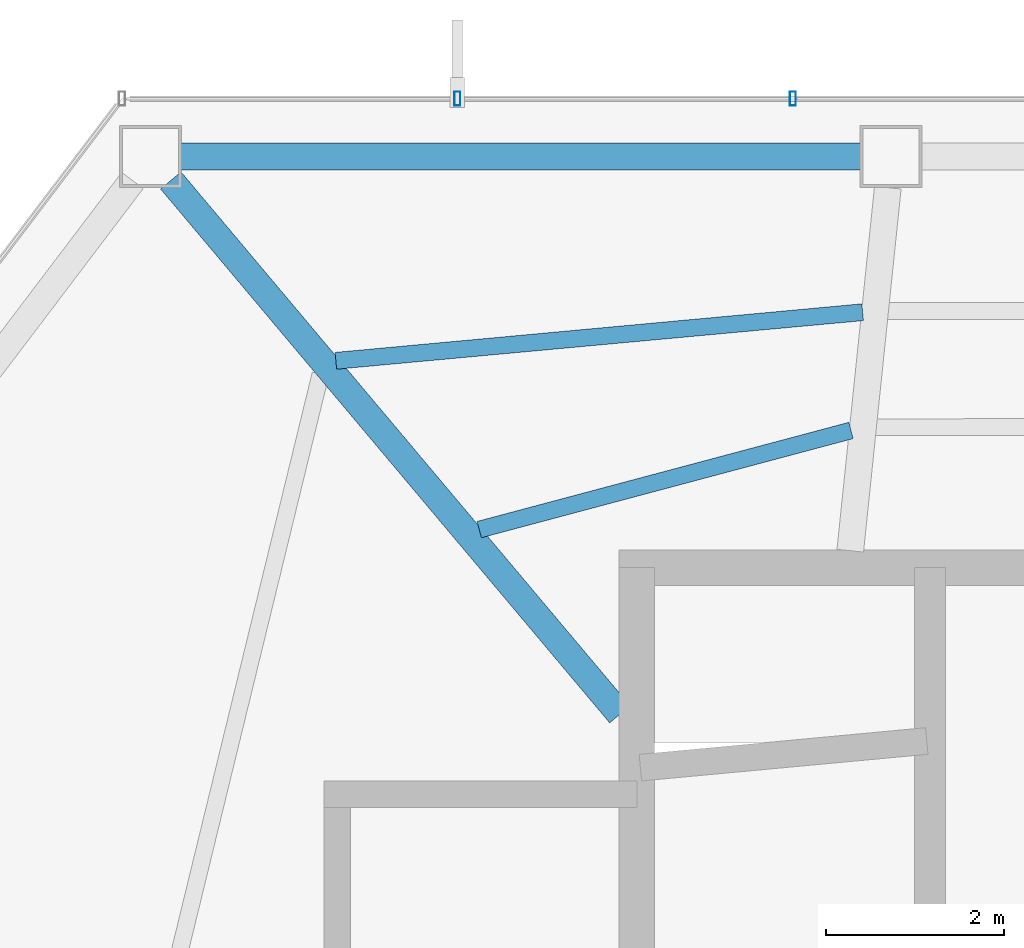
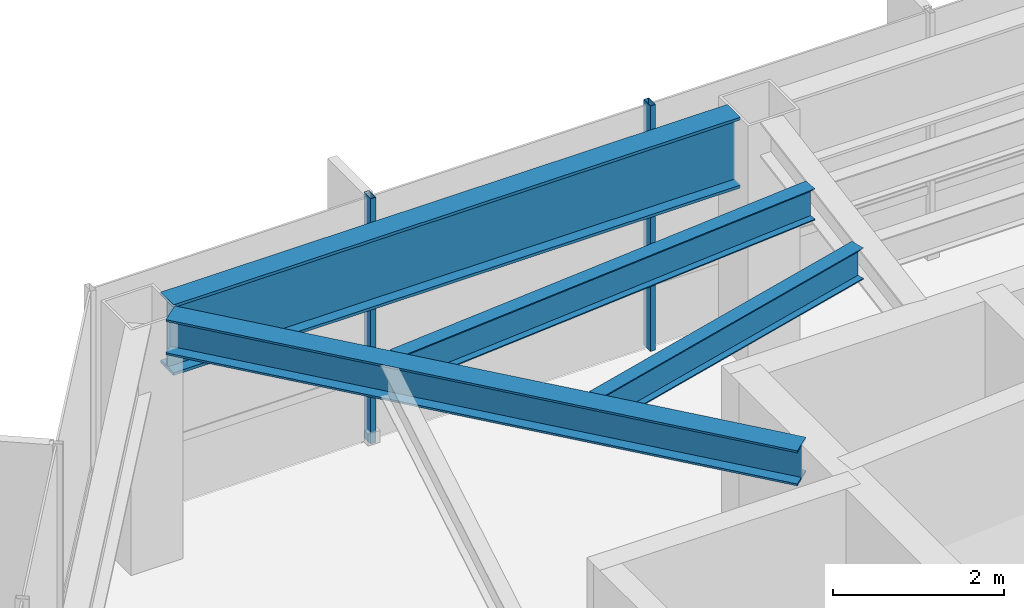
# One storey, part 12 of 27: 4 beams, 2 members, 1 element without a shape of its own.
"""IFC4 building model written with IfcOpenShell, lengths in metres."""

from ifc_helpers import new_model, si_unit, direction, frame, origin, origin_2d, place, context, subcontext, project, spatial, hollow_rectangle, i_section, extrude, material, layer, layer_set, material_profile, profile_set, type_object, element, aggregate, save


model = new_model("IFC4")

# Units and contexts
model_context = context("Model", 3, precision=1e-05, world=origin(), true_north=direction((0.0, 1.0)))
body_context = subcontext(model_context, "Body", "Model", "MODEL_VIEW")
ifc_project = project(units=[si_unit("LENGTHUNIT", "METRE"), si_unit("AREAUNIT", "SQUARE_METRE"), si_unit("VOLUMEUNIT", "CUBIC_METRE"), si_unit("PLANEANGLEUNIT", "RADIAN"), si_unit("MASSUNIT", "GRAM", prefix="KILO")], contexts=[model_context])

# Site, building, storey
site_placement = place(None, origin())
site = spatial("IfcSite", under=ifc_project, at=site_placement, CompositionType="ELEMENT")
building_placement = place(site_placement, origin())
building = spatial("IfcBuilding", under=site, at=building_placement, Name="Zarrinselat Tower", CompositionType="ELEMENT")
storey_placement = place(building_placement, frame((0.0, 0.0, 179.52001953125)))
storey = spatial("IfcBuildingStorey", under=building, at=storey_placement, Name="L44", CompositionType="ELEMENT", Elevation=179.52001953125)

# Beams
ifc_material_1 = material(Name="Steel S355J2", Category="steel")
ifc_material_profile_1 = material_profile(ifc_material_1, i_section(OverallWidth=0.300048828125, OverallDepth=0.5, WebThickness=0.014404296875, FlangeThickness=0.028076171875, at=origin_2d()), Name="HEB 500")
ifc_profile_set_1 = profile_set([ifc_material_profile_1], Name="Steel S355J2")
beam_type_1 = type_object("IfcBeamType", Name="BM-HEB500", PredefinedType="BEAM", material=ifc_profile_set_1)
beam_1_placement = place(storey_placement, frame((23.359619140625, 47.802978515625, 3.25), z_axis=(0.643777249364, -0.76521294631, 0.0), x_axis=(0.76521294631, 0.643777249364, 0.0)))
element("IfcBeam", 1, at=beam_1_placement, inside=storey, type_object=beam_type_1, Name="L44 Radial Primary Girder RG05", PredefinedType="BEAM", context=body_context, shape_type="SweptSolid", body=[
    extrude(i_section(OverallWidth=0.300048828125, OverallDepth=0.5, WebThickness=0.014404296875, FlangeThickness=0.028076171875, at=origin_2d()), origin(), (0.0, 0.0, 1.0), 7.8447265625),
])
ifc_material_2 = material(Name="Steel S460M", Category="steel")
ifc_material_profile_2 = material_profile(ifc_material_2, i_section(OverallWidth=0.302001953125, OverallDepth=1.008056640625, WebThickness=0.02099609375, FlangeThickness=0.0400390625, at=origin_2d()), Name="HEM 1000")
ifc_profile_set_2 = profile_set([ifc_material_profile_2], Name="Steel S460M")
beam_type_2 = type_object("IfcBeamType", Name="BM-HEM1000", PredefinedType="BEAM", material=ifc_profile_set_2)
beam_2_placement = place(storey_placement, frame((23.470947265625, 48.072265625, 2.99609375), z_axis=(1.0, 0.0, 0.0), x_axis=(0.0, 1.0, 0.0)))
element("IfcBeam", 2, at=beam_2_placement, inside=storey, type_object=beam_type_2, Name="L44 Perimeter Spandrel Girder SP04", PredefinedType="BEAM", context=body_context, shape_type="SweptSolid", body=[
    extrude(i_section(OverallWidth=0.302001953125, OverallDepth=1.008056640625, WebThickness=0.02099609375, FlangeThickness=0.0400390625, at=origin_2d()), origin(), (0.0, 0.0, 1.0), 7.649658203125),
])
ifc_material_3 = material(Name="Steel S355J2", Category="steel")
ifc_material_profile_3 = material_profile(ifc_material_3, i_section(OverallWidth=0.18994140625, OverallDepth=0.449951171875, WebThickness=0.009521484375, FlangeThickness=0.0146484375, at=origin_2d()), Name="IPE 450")
ifc_profile_set_3 = profile_set([ifc_material_profile_3], Name="Steel S355J2")
beam_type_3 = type_object("IfcBeamType", Name="BM-IPE450", PredefinedType="JOIST", material=ifc_profile_set_3)
beam_3_placement = place(storey_placement, frame((25.216064453125, 45.77490234375, 3.27490234375), z_axis=(0.99577257183, 0.091853063051, 0.0), x_axis=(-0.091853063051, 0.99577257183, 0.0)))
element("IfcBeam", 3, at=beam_3_placement, inside=storey, type_object=beam_type_3, Name="L44 Composite Floor Joist 9-1", PredefinedType="JOIST", context=body_context, shape_type="SweptSolid", body=[
    extrude(i_section(OverallWidth=0.18994140625, OverallDepth=0.449951171875, WebThickness=0.009521484375, FlangeThickness=0.0146484375, at=origin_2d()), origin(), (0.0, 0.0, 1.0), 5.948486328125),
])
beam_4_placement = place(storey_placement, frame((26.828125, 43.877197265625, 3.27490234375), z_axis=(0.966247114954, 0.257616988656, 0.0), x_axis=(-0.257616988656, 0.966247114954, 0.0)))
element("IfcBeam", 4, at=beam_4_placement, inside=storey, type_object=beam_type_3, Name="L44 Composite Floor Joist 9-2", PredefinedType="JOIST", context=body_context, shape_type="SweptSolid", body=[
    extrude(i_section(OverallWidth=0.18994140625, OverallDepth=0.449951171875, WebThickness=0.009521484375, FlangeThickness=0.0146484375, at=origin_2d()), origin(), (0.0, 0.0, 1.0), 4.326171875),
])

# Curtain wall, members
ifc_material_4 = material(Name="Extruded Aluminium Alloy EN AW-6063 T6", Category="aluminium")
ifc_layer = layer(ifc_material_4, 0.175048828125)
ifc_layer_set = layer_set([ifc_layer], Name="Extruded Aluminium Alloy EN AW-6063 T6")
curtain_wall_type = type_object("IfcCurtainWallType", Name="CWS-HTL", PredefinedType="NOTDEFINED", material=ifc_layer_set)
curtain_wall_placement = place(storey_placement, origin())
curtain_wall = element("IfcCurtainWall", 5, at=curtain_wall_placement, inside=storey, type_object=curtain_wall_type, Name="L44 Unitised Curtain Wall CW-L44-E01", PredefinedType="NOTDEFINED")
ifc_material_5 = material(Name="Extruded Aluminium Alloy EN AW-6063 T6", Category="aluminium")
ifc_material_profile_4 = material_profile(ifc_material_5, hollow_rectangle(XDim=0.070068359375, YDim=0.159912109375, WallThickness=0.00390625, at=origin_2d()), Name="RHS 160x70x4")
ifc_profile_set_4 = profile_set([ifc_material_profile_4], Name="Extruded Aluminium Alloy EN AW-6063 T6")
member_type = type_object("IfcMemberType", Name="MEM-CW-MUL2", PredefinedType="MULLION", material=ifc_profile_set_4)
member_1_placement = place(storey_placement, frame((30.35400390625, 48.72216796875, 0.0), z_axis=(0.0, 0.0, 1.0), x_axis=(-1.0, 0.0, 0.0)))
member_1 = element("IfcMember", 6, at=member_1_placement, type_object=member_type, Name="CW-L44-E01 Mullion 8", PredefinedType="MULLION", context=body_context, shape_type="SweptSolid", body=[
    extrude(hollow_rectangle(XDim=0.070068359375, YDim=0.159912109375, WallThickness=0.00390625, at=origin_2d()), origin(), (0.0, 0.0, 1.0), 3.5),
])
member_2_placement = place(storey_placement, frame((26.58203125, 48.72216796875, 0.0), z_axis=(0.0, 0.0, 1.0), x_axis=(-1.0, 0.0, 0.0)))
member_2 = element("IfcMember", 7, at=member_2_placement, type_object=member_type, Name="CW-L44-E01 Mullion 9", PredefinedType="MULLION", context=body_context, shape_type="SweptSolid", body=[
    extrude(hollow_rectangle(XDim=0.070068359375, YDim=0.159912109375, WallThickness=0.00390625, at=origin_2d()), origin(), (0.0, 0.0, 1.0), 3.5),
])
aggregate(curtain_wall, [member_1, member_2])

save(model, "model.ifc")
